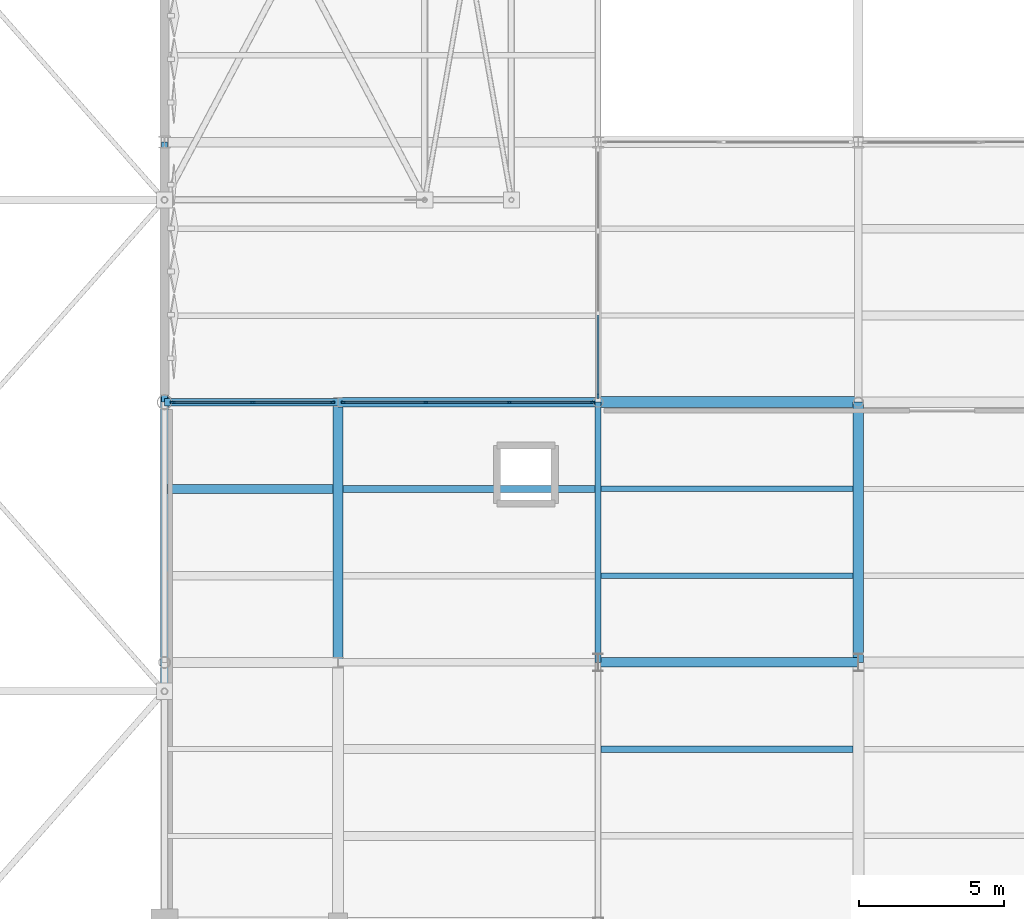
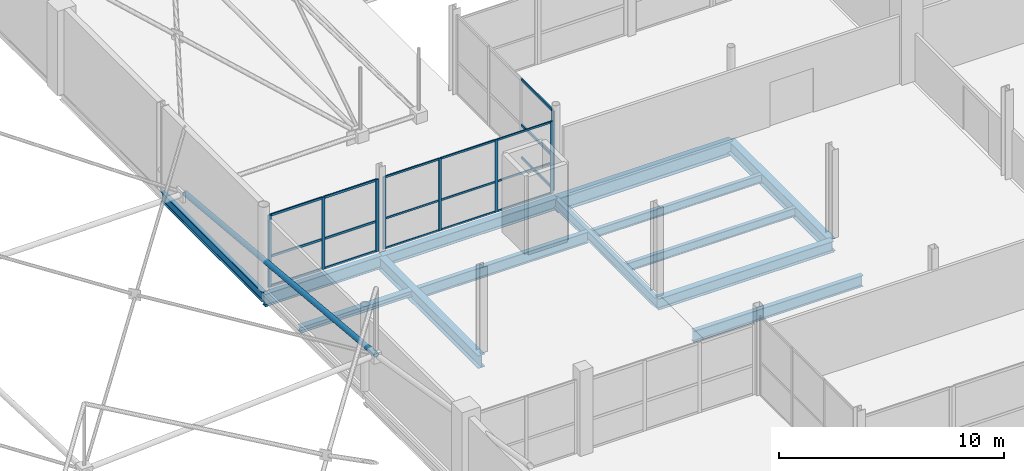
# One storey, part 131 of 224: 27 members, 13 beams, 3 elements without a shape of their own.
"""IFC4 building model written with IfcOpenShell, lengths in metres."""

from ifc_helpers import new_model, si_unit, direction, frame, origin, origin_2d, place, context, subcontext, project, spatial, rectangle, hollow_circle, i_section, extrude, material, layer, layer_set, material_profile, profile_set, type_object, element, aggregate, save


model = new_model("IFC4")

# Units and contexts
model_context = context("Model", 3, precision=1e-05, world=origin(), true_north=direction((0.0, 1.0)))
body_context = subcontext(model_context, "Body", "Model", "MODEL_VIEW")
ifc_project = project(units=[si_unit("LENGTHUNIT", "METRE"), si_unit("AREAUNIT", "SQUARE_METRE"), si_unit("VOLUMEUNIT", "CUBIC_METRE"), si_unit("PLANEANGLEUNIT", "RADIAN"), si_unit("MASSUNIT", "GRAM", prefix="KILO")], contexts=[model_context])

# Site, building, storey
site_placement = place(None, origin())
site = spatial("IfcSite", under=ifc_project, at=site_placement, CompositionType="ELEMENT")
building_placement = place(site_placement, origin())
building = spatial("IfcBuilding", under=site, at=building_placement, Name="Qamarlyn Nura Convention Centre", CompositionType="ELEMENT")
storey_placement = place(building_placement, frame((0.0, 0.0, 10.800048828125)))
storey = spatial("IfcBuildingStorey", under=building, at=storey_placement, Name="L02", CompositionType="ELEMENT", Elevation=10.800048828125)

# Beams
ifc_material_1 = material(Name="Steel ASTM A992", Category="steel")
ifc_material_profile_1 = material_profile(ifc_material_1, i_section(OverallWidth=0.323974609375, OverallDepth=0.611083984375, WebThickness=0.0126953125, FlangeThickness=0.01904296875, FilletRadius=0.01611328125, at=origin_2d()), Name="W610X155")
ifc_profile_set_1 = profile_set([ifc_material_profile_1], Name="Steel ASTM A992")
beam_type_1 = type_object("IfcBeamType", Name="BM-GIRD-610", PredefinedType="BEAM", material=ifc_profile_set_1)
for number, where, z_axis, x_axis, name in (
    (1, (135.0, 36.0, -0.5654296875), (1.0, 0.0, 0.0), (0.0, 1.0, 0.0), "L02 girder E 11-12"),
    (2, (126.0, 45.0, -0.545654296875), (1.0, 0.0, 0.0), (0.0, 1.0, 0.0), "L02 girder F 10-11"),
):
    element("IfcBeam", number, at=place(storey_placement, frame(where, z_axis=z_axis, x_axis=x_axis)), inside=storey, type_object=beam_type_1, Name=name, PredefinedType="BEAM", context=body_context, shape_type="SweptSolid", body=[
        extrude(i_section(OverallWidth=0.323974609375, OverallDepth=0.611083984375, WebThickness=0.0126953125, FlangeThickness=0.01904296875, FilletRadius=0.01611328125, at=origin_2d()), origin(), (0.0, 0.0, 1.0), 9.0),
    ])
ifc_material_profile_2 = material_profile(ifc_material_1, i_section(OverallWidth=0.35498046875, OverallDepth=0.695068359375, WebThickness=0.015380859375, FlangeThickness=0.02490234375, FilletRadius=0.01806640625, at=origin_2d()), Name="W690X217")
ifc_profile_set_2 = profile_set([ifc_material_profile_2], Name="Steel ASTM A992")
beam_type_2 = type_object("IfcBeamType", Name="BM-GIRD-690A", PredefinedType="BEAM", material=ifc_profile_set_2)
for number, where, z_axis, x_axis, name in (
    (3, (126.0, 36.0, -0.587646484375), (0.0, 1.0, 0.0), (-1.0, 0.0, 0.0), "L02 girder 10 E-F"),
    (4, (144.0, 36.0, -0.607666015625), (0.0, 1.0, 0.0), (-1.0, 0.0, 0.0), "L02 girder 12 E-F"),
):
    element("IfcBeam", number, at=place(storey_placement, frame(where, z_axis=z_axis, x_axis=x_axis)), inside=storey, type_object=beam_type_2, Name=name, PredefinedType="BEAM", context=body_context, shape_type="SweptSolid", body=[
        extrude(i_section(OverallWidth=0.35498046875, OverallDepth=0.695068359375, WebThickness=0.015380859375, FlangeThickness=0.02490234375, FilletRadius=0.01806640625, at=origin_2d()), origin(), (0.0, 0.0, 1.0), 9.0),
    ])
ifc_material_profile_3 = material_profile(ifc_material_1, i_section(OverallWidth=0.25390625, OverallDepth=0.68408203125, WebThickness=0.012451171875, FlangeThickness=0.01904296875, FilletRadius=0.01806640625, at=origin_2d()), Name="W690X140")
ifc_profile_set_3 = profile_set([ifc_material_profile_3], Name="Steel ASTM A992")
beam_type_3 = type_object("IfcBeamType", Name="BM-GIRD-690B", PredefinedType="BEAM", material=ifc_profile_set_3)
beam_1_placement = place(storey_placement, frame((120.0, 45.0, -0.58203125), z_axis=(1.0, 0.0, 0.0), x_axis=(0.0, 1.0, 0.0)))
element("IfcBeam", 5, at=beam_1_placement, inside=storey, type_object=beam_type_3, Name="L02 girder F 9-10", PredefinedType="BEAM", context=body_context, shape_type="SweptSolid", body=[
    extrude(i_section(OverallWidth=0.25390625, OverallDepth=0.68408203125, WebThickness=0.012451171875, FlangeThickness=0.01904296875, FilletRadius=0.01806640625, at=origin_2d()), origin(), (0.0, 0.0, 1.0), 6.0),
])
ifc_material_profile_4 = material_profile(ifc_material_1, i_section(OverallWidth=0.381103515625, OverallDepth=0.77294921875, WebThickness=0.0166015625, FlangeThickness=0.027587890625, FilletRadius=0.02001953125, at=origin_2d()), Name="W760X257")
ifc_profile_set_4 = profile_set([ifc_material_profile_4], Name="Steel ASTM A992")
beam_type_4 = type_object("IfcBeamType", Name="BM-GIRD-760", PredefinedType="BEAM", material=ifc_profile_set_4)
beam_2_placement = place(storey_placement, frame((135.0, 45.0, -0.646484375), z_axis=(1.0, 0.0, 0.0), x_axis=(0.0, 1.0, 0.0)))
element("IfcBeam", 6, at=beam_2_placement, inside=storey, type_object=beam_type_4, Name="L02 girder F 11-12", PredefinedType="BEAM", context=body_context, shape_type="SweptSolid", body=[
    extrude(i_section(OverallWidth=0.381103515625, OverallDepth=0.77294921875, WebThickness=0.0166015625, FlangeThickness=0.027587890625, FilletRadius=0.02001953125, at=origin_2d()), origin(), (0.0, 0.0, 1.0), 9.0),
])
ifc_material_profile_5 = material_profile(ifc_material_1, i_section(OverallWidth=0.304931640625, OverallDepth=0.30810546875, WebThickness=0.010009765625, FlangeThickness=0.015380859375, FilletRadius=0.014892578125, at=origin_2d()), Name="W310X97")
ifc_profile_set_5 = profile_set([ifc_material_profile_5], Name="Steel ASTM A992")
beam_type_5 = type_object("IfcBeamType", Name="BM-JOIST-310", PredefinedType="JOIST", material=ifc_profile_set_5)
beam_3_placement = place(storey_placement, frame((120.10009765625, 42.0, -0.39404296875), z_axis=(1.0, 0.0, 0.0), x_axis=(0.0, 1.0, 0.0)))
element("IfcBeam", 7, at=beam_3_placement, inside=storey, type_object=beam_type_5, Name="L02 composite joist 9-10/E+2", PredefinedType="JOIST", context=body_context, shape_type="SweptSolid", body=[
    extrude(i_section(OverallWidth=0.304931640625, OverallDepth=0.30810546875, WebThickness=0.010009765625, FlangeThickness=0.015380859375, FilletRadius=0.014892578125, at=origin_2d()), origin(), (0.0, 0.0, 1.0), 5.722412109375),
])
ifc_material_profile_6 = material_profile(ifc_material_1, i_section(OverallWidth=0.18994140625, OverallDepth=0.45703125, WebThickness=0.009033203125, FlangeThickness=0.014404296875, FilletRadius=0.012939453125, at=origin_2d()), Name="W460X74")
ifc_profile_set_6 = profile_set([ifc_material_profile_6], Name="Steel ASTM A992")
beam_type_6 = type_object("IfcBeamType", Name="BM-JOIST-460", PredefinedType="JOIST", material=ifc_profile_set_6)
for number, where, z_axis, x_axis, name in (
    (8, (135.10546875, 39.0, -0.488525390625), (1.0, 0.0, 0.0), (0.0, 1.0, 0.0), "L02 composite joist 11-12/E+1"),
    (9, (135.10546875, 42.0, -0.488525390625), (1.0, 0.0, 0.0), (0.0, 1.0, 0.0), "L02 composite joist 11-12/E+2"),
):
    element("IfcBeam", number, at=place(storey_placement, frame(where, z_axis=z_axis, x_axis=x_axis)), inside=storey, type_object=beam_type_6, Name=name, PredefinedType="JOIST", context=body_context, shape_type="SweptSolid", body=[
        extrude(i_section(OverallWidth=0.18994140625, OverallDepth=0.45703125, WebThickness=0.009033203125, FlangeThickness=0.014404296875, FilletRadius=0.012939453125, at=origin_2d()), origin(), (0.0, 0.0, 1.0), 8.717041015625),
    ])
ifc_material_profile_7 = material_profile(ifc_material_1, i_section(OverallWidth=0.22802734375, OverallDepth=0.60791015625, WebThickness=0.01123046875, FlangeThickness=0.017333984375, FilletRadius=0.01611328125, at=origin_2d()), Name="W610X113")
ifc_profile_set_7 = profile_set([ifc_material_profile_7], Name="Steel ASTM A992")
beam_type_7 = type_object("IfcBeamType", Name="BM-JOIST-610", PredefinedType="JOIST", material=ifc_profile_set_7)
beam_4_placement = place(storey_placement, frame((126.177490234375, 42.0, -0.5439453125), z_axis=(1.0, 0.0, 0.0), x_axis=(0.0, 1.0, 0.0)))
element("IfcBeam", 10, at=beam_4_placement, inside=storey, type_object=beam_type_7, Name="L02 composite joist 10-11/E+2", PredefinedType="JOIST", context=body_context, shape_type="SweptSolid", body=[
    extrude(i_section(OverallWidth=0.22802734375, OverallDepth=0.60791015625, WebThickness=0.01123046875, FlangeThickness=0.017333984375, FilletRadius=0.01611328125, at=origin_2d()), origin(), (0.0, 0.0, 1.0), 8.717041015625),
])
beam_5_placement = place(storey_placement, frame((135.10009765625, 33.0, -0.56396484375), z_axis=(1.0, 0.0, 0.0), x_axis=(0.0, 1.0, 0.0)))
element("IfcBeam", 11, at=beam_5_placement, inside=storey, type_object=beam_type_7, Name="L02 composite joist 11-12/D+2", PredefinedType="JOIST", context=body_context, shape_type="SweptSolid", body=[
    extrude(i_section(OverallWidth=0.22802734375, OverallDepth=0.60791015625, WebThickness=0.01123046875, FlangeThickness=0.017333984375, FilletRadius=0.01611328125, at=origin_2d()), origin(), (0.0, 0.0, 1.0), 8.70947265625),
])
ifc_material_profile_8 = material_profile(ifc_material_1, i_section(OverallWidth=0.2109375, OverallDepth=0.5390625, WebThickness=0.01171875, FlangeThickness=0.018798828125, FilletRadius=0.013916015625, at=origin_2d()), Name="W530X109")
ifc_profile_set_8 = profile_set([ifc_material_profile_8], Name="Steel ASTM A992")
beam_type_8 = type_object("IfcBeamType", Name="BM-SPAN-530", PredefinedType="SPANDREL", material=ifc_profile_set_8)
for number, where, z_axis, x_axis, name in (
    (12, (120.0, 45.0, -0.41455078125), (0.0, 1.0, 0.0), (-1.0, 0.0, 0.0), "L02 girder 9 F-G"),
    (13, (135.0, 36.0, -0.529541015625), (0.0, 1.0, 0.0), (-1.0, 0.0, 0.0), "L02 girder 11 E-F"),
):
    element("IfcBeam", number, at=place(storey_placement, frame(where, z_axis=z_axis, x_axis=x_axis)), inside=storey, type_object=beam_type_8, Name=name, PredefinedType="SPANDREL", context=body_context, shape_type="SweptSolid", body=[
        extrude(i_section(OverallWidth=0.2109375, OverallDepth=0.5390625, WebThickness=0.01171875, FlangeThickness=0.018798828125, FilletRadius=0.013916015625, at=origin_2d()), origin(), (0.0, 0.0, 1.0), 9.0),
    ])

# Curtain wall, members
ifc_material_2 = material(Name="Double-silver low-E insulated glass", Category="glass")
ifc_layer_1 = layer(ifc_material_2, 0.179931640625, Name="CW-UNIT-56")
ifc_layer_set_1 = layer_set([ifc_layer_1], Name="Double-silver low-E insulated glass")
curtain_wall_type_1 = type_object("IfcCurtainWallType", Name="CW-UNIT-56", PredefinedType="NOTDEFINED", material=ifc_layer_set_1)
curtain_wall_1_placement = place(storey_placement, origin())
curtain_wall_1 = element("IfcCurtainWall", 14, at=curtain_wall_1_placement, inside=storey, type_object=curtain_wall_type_1, Name="L02 unitised curtain wall BRG-N-2", PredefinedType="NOTDEFINED")
ifc_material_3 = material(Name="Champagne-anodised marine aluminium", Category="aluminium")
ifc_material_profile_9 = material_profile(ifc_material_3, rectangle(XDim=0.06005859375, YDim=0.139892578125, at=origin_2d()), Name="ALU MULLION 60x140")
ifc_profile_set_9 = profile_set([ifc_material_profile_9], Name="Champagne-anodised marine aluminium")
member_type_1 = type_object("IfcMemberType", Name="CWM-140", PredefinedType="MULLION", material=ifc_profile_set_9)
member_1_placement = place(storey_placement, frame((126.1826171875, 45.0, 0.0), z_axis=(0.0, 0.0, 1.0), x_axis=(0.0, 1.0, 0.0)))
member_1 = element("IfcMember", 15, at=member_1_placement, type_object=member_type_1, Name="CW56 mullion 1", PredefinedType="MULLION", context=body_context, shape_type="SweptSolid", body=[
    extrude(rectangle(XDim=0.06005859375, YDim=0.139892578125, at=origin_2d()), origin(), (0.0, 0.0, 1.0), 3.926025390625),
])
member_2_placement = place(storey_placement, frame((129.04248046875, 45.0, 0.0), z_axis=(0.0, 0.0, 1.0), x_axis=(0.0, 1.0, 0.0)))
member_2 = element("IfcMember", 16, at=member_2_placement, type_object=member_type_1, Name="CW56 mullion 2", PredefinedType="MULLION", context=body_context, shape_type="SweptSolid", body=[
    extrude(rectangle(XDim=0.06005859375, YDim=0.139892578125, at=origin_2d()), origin(), (0.0, 0.0, 1.0), 3.926025390625),
])
member_3_placement = place(storey_placement, frame((131.932373046875, 45.0, 0.0), z_axis=(0.0, 0.0, 1.0), x_axis=(0.0, 1.0, 0.0)))
member_3 = element("IfcMember", 17, at=member_3_placement, type_object=member_type_1, Name="CW56 mullion 3", PredefinedType="MULLION", context=body_context, shape_type="SweptSolid", body=[
    extrude(rectangle(XDim=0.06005859375, YDim=0.139892578125, at=origin_2d()), origin(), (0.0, 0.0, 1.0), 3.926025390625),
])
member_4_placement = place(storey_placement, frame((134.792236328125, 45.0, 0.0), z_axis=(0.0, 0.0, 1.0), x_axis=(0.0, 1.0, 0.0)))
member_4 = element("IfcMember", 18, at=member_4_placement, type_object=member_type_1, Name="CW56 mullion 4", PredefinedType="MULLION", context=body_context, shape_type="SweptSolid", body=[
    extrude(rectangle(XDim=0.06005859375, YDim=0.139892578125, at=origin_2d()), origin(), (0.0, 0.0, 1.0), 3.926025390625),
])

ifc_layer_2 = layer(ifc_material_2, 0.179931640625, Name="CW-UNIT-55")
ifc_layer_set_2 = layer_set([ifc_layer_2], Name="Double-silver low-E insulated glass")
curtain_wall_type_2 = type_object("IfcCurtainWallType", Name="CW-UNIT-55", PredefinedType="NOTDEFINED", material=ifc_layer_set_2)
curtain_wall_2_placement = place(storey_placement, origin())
curtain_wall_2 = element("IfcCurtainWall", 19, at=curtain_wall_2_placement, inside=storey, type_object=curtain_wall_type_2, Name="L02 unitised curtain wall BRG-N-1", PredefinedType="NOTDEFINED")
ifc_material_profile_10 = material_profile(ifc_material_3, rectangle(XDim=0.06494140625, YDim=0.159912109375, at=origin_2d()), Name="ALU MULLION 65x160")
ifc_profile_set_10 = profile_set([ifc_material_profile_10], Name="Champagne-anodised marine aluminium")
member_type_2 = type_object("IfcMemberType", Name="CWM-160", PredefinedType="MULLION", material=ifc_profile_set_10)
member_5_placement = place(storey_placement, frame((120.28662109375, 45.0, 0.0), z_axis=(0.0, 0.0, 1.0), x_axis=(0.0, 1.0, 0.0)))
member_5 = element("IfcMember", 20, at=member_5_placement, type_object=member_type_2, Name="CW55 mullion 1", PredefinedType="MULLION", context=body_context, shape_type="SweptSolid", body=[
    extrude(rectangle(XDim=0.06494140625, YDim=0.159912109375, at=origin_2d()), origin(), (0.0, 0.0, 1.0), 3.9150390625),
])
member_6_placement = place(storey_placement, frame((123.05078125, 45.0, 0.0), z_axis=(0.0, 0.0, 1.0), x_axis=(0.0, 1.0, 0.0)))
member_6 = element("IfcMember", 21, at=member_6_placement, type_object=member_type_2, Name="CW55 mullion 2", PredefinedType="MULLION", context=body_context, shape_type="SweptSolid", body=[
    extrude(rectangle(XDim=0.06494140625, YDim=0.159912109375, at=origin_2d()), origin(), (0.0, 0.0, 1.0), 3.9150390625),
])
member_7_placement = place(storey_placement, frame((125.81494140625, 45.0, 0.0), z_axis=(0.0, 0.0, 1.0), x_axis=(0.0, 1.0, 0.0)))
member_7 = element("IfcMember", 22, at=member_7_placement, type_object=member_type_2, Name="CW55 mullion 3", PredefinedType="MULLION", context=body_context, shape_type="SweptSolid", body=[
    extrude(rectangle(XDim=0.06494140625, YDim=0.159912109375, at=origin_2d()), origin(), (0.0, 0.0, 1.0), 3.9150390625),
])

# Curtain wall, member
ifc_layer_3 = layer(ifc_material_2, 0.179931640625, Name="CW-UNIT-102")
ifc_layer_set_3 = layer_set([ifc_layer_3], Name="Double-silver low-E insulated glass")
curtain_wall_type_3 = type_object("IfcCurtainWallType", Name="CW-UNIT-102", PredefinedType="NOTDEFINED", material=ifc_layer_set_3)
curtain_wall_3_placement = place(storey_placement, origin())
curtain_wall_3 = element("IfcCurtainWall", 23, at=curtain_wall_3_placement, inside=storey, type_object=curtain_wall_type_3, Name="L02 unitised curtain wall BLW-N-1", PredefinedType="NOTDEFINED")
ifc_material_profile_11 = material_profile(ifc_material_3, rectangle(XDim=0.070068359375, YDim=0.179931640625, at=origin_2d()), Name="ALU MULLION 70x180")
ifc_profile_set_11 = profile_set([ifc_material_profile_11], Name="Champagne-anodised marine aluminium")
member_type_3 = type_object("IfcMemberType", Name="CWM-180", PredefinedType="MULLION", material=ifc_profile_set_11)
member_8_placement = place(storey_placement, frame((135.0, 45.212890625, 0.0), z_axis=(0.0, 0.0, 1.0), x_axis=(-1.0, 0.0, 0.0)))
member_8 = element("IfcMember", 24, at=member_8_placement, type_object=member_type_3, Name="CW102 mullion 1", PredefinedType="MULLION", context=body_context, shape_type="SweptSolid", body=[
    extrude(rectangle(XDim=0.070068359375, YDim=0.179931640625, at=origin_2d()), origin(), (0.0, 0.0, 1.0), 4.304931640625),
])

# Member
ifc_material_profile_12 = material_profile(ifc_material_3, rectangle(XDim=0.06005859375, YDim=0.10009765625, at=origin_2d()), Name="ALU TRANSOM 60x100")
ifc_profile_set_12 = profile_set([ifc_material_profile_12], Name="Champagne-anodised marine aluminium")
member_type_4 = type_object("IfcMemberType", Name="CWT-100", PredefinedType="USERDEFINED", material=ifc_profile_set_12)
member_9_placement = place(storey_placement, frame((126.21240234375, 45.0, 0.030029296875), z_axis=(1.0, 0.0, 0.0), x_axis=(0.0, 1.0, 0.0)))
member_9 = element("IfcMember", 25, at=member_9_placement, type_object=member_type_4, Name="CW56 transom 1.1", ObjectType="TRANSOM", PredefinedType="USERDEFINED", context=body_context, shape_type="SweptSolid", body=[
    extrude(rectangle(XDim=0.06005859375, YDim=0.10009765625, at=origin_2d()), origin(), (0.0, 0.0, 1.0), 2.800048828125),
])

member_10_placement = place(storey_placement, frame((126.21240234375, 45.0, 1.64892578125), z_axis=(1.0, 0.0, 0.0), x_axis=(0.0, 1.0, 0.0)))
member_10 = element("IfcMember", 26, at=member_10_placement, type_object=member_type_4, Name="CW56 transom 1.2", ObjectType="TRANSOM", PredefinedType="USERDEFINED", context=body_context, shape_type="SweptSolid", body=[
    extrude(rectangle(XDim=0.06005859375, YDim=0.10009765625, at=origin_2d()), origin(), (0.0, 0.0, 1.0), 2.800048828125),
])

member_11_placement = place(storey_placement, frame((126.21240234375, 45.0, 3.89599609375), z_axis=(1.0, 0.0, 0.0), x_axis=(0.0, 1.0, 0.0)))
member_11 = element("IfcMember", 27, at=member_11_placement, type_object=member_type_4, Name="CW56 transom 1.3", ObjectType="TRANSOM", PredefinedType="USERDEFINED", context=body_context, shape_type="SweptSolid", body=[
    extrude(rectangle(XDim=0.06005859375, YDim=0.10009765625, at=origin_2d()), origin(), (0.0, 0.0, 1.0), 2.800048828125),
])

member_12_placement = place(storey_placement, frame((129.072509765625, 45.0, 0.030029296875), z_axis=(1.0, 0.0, 0.0), x_axis=(0.0, 1.0, 0.0)))
member_12 = element("IfcMember", 28, at=member_12_placement, type_object=member_type_4, Name="CW56 transom 2.1", ObjectType="TRANSOM", PredefinedType="USERDEFINED", context=body_context, shape_type="SweptSolid", body=[
    extrude(rectangle(XDim=0.06005859375, YDim=0.10009765625, at=origin_2d()), origin(), (0.0, 0.0, 1.0), 2.829833984375),
])

member_13_placement = place(storey_placement, frame((129.072509765625, 45.0, 1.64892578125), z_axis=(1.0, 0.0, 0.0), x_axis=(0.0, 1.0, 0.0)))
member_13 = element("IfcMember", 29, at=member_13_placement, type_object=member_type_4, Name="CW56 transom 2.2", ObjectType="TRANSOM", PredefinedType="USERDEFINED", context=body_context, shape_type="SweptSolid", body=[
    extrude(rectangle(XDim=0.06005859375, YDim=0.10009765625, at=origin_2d()), origin(), (0.0, 0.0, 1.0), 2.829833984375),
])

member_14_placement = place(storey_placement, frame((129.072509765625, 45.0, 3.89599609375), z_axis=(1.0, 0.0, 0.0), x_axis=(0.0, 1.0, 0.0)))
member_14 = element("IfcMember", 30, at=member_14_placement, type_object=member_type_4, Name="CW56 transom 2.3", ObjectType="TRANSOM", PredefinedType="USERDEFINED", context=body_context, shape_type="SweptSolid", body=[
    extrude(rectangle(XDim=0.06005859375, YDim=0.10009765625, at=origin_2d()), origin(), (0.0, 0.0, 1.0), 2.829833984375),
])

member_15_placement = place(storey_placement, frame((131.96240234375, 45.0, 0.030029296875), z_axis=(1.0, 0.0, 0.0), x_axis=(0.0, 1.0, 0.0)))
member_15 = element("IfcMember", 31, at=member_15_placement, type_object=member_type_4, Name="CW56 transom 3.1", ObjectType="TRANSOM", PredefinedType="USERDEFINED", context=body_context, shape_type="SweptSolid", body=[
    extrude(rectangle(XDim=0.06005859375, YDim=0.10009765625, at=origin_2d()), origin(), (0.0, 0.0, 1.0), 2.7998046875),
])

member_16_placement = place(storey_placement, frame((131.96240234375, 45.0, 1.64892578125), z_axis=(1.0, 0.0, 0.0), x_axis=(0.0, 1.0, 0.0)))
member_16 = element("IfcMember", 32, at=member_16_placement, type_object=member_type_4, Name="CW56 transom 3.2", ObjectType="TRANSOM", PredefinedType="USERDEFINED", context=body_context, shape_type="SweptSolid", body=[
    extrude(rectangle(XDim=0.06005859375, YDim=0.10009765625, at=origin_2d()), origin(), (0.0, 0.0, 1.0), 2.7998046875),
])

member_17_placement = place(storey_placement, frame((131.96240234375, 45.0, 3.89599609375), z_axis=(1.0, 0.0, 0.0), x_axis=(0.0, 1.0, 0.0)))
member_17 = element("IfcMember", 33, at=member_17_placement, type_object=member_type_4, Name="CW56 transom 3.3", ObjectType="TRANSOM", PredefinedType="USERDEFINED", context=body_context, shape_type="SweptSolid", body=[
    extrude(rectangle(XDim=0.06005859375, YDim=0.10009765625, at=origin_2d()), origin(), (0.0, 0.0, 1.0), 2.7998046875),
])

aggregate(curtain_wall_1, [member_1, member_2, member_3, member_4, member_9, member_10, member_11, member_12, member_13, member_14, member_15, member_16, member_17])

ifc_material_profile_13 = material_profile(ifc_material_3, rectangle(XDim=0.06494140625, YDim=0.1201171875, at=origin_2d()), Name="ALU TRANSOM 65x120")
ifc_profile_set_13 = profile_set([ifc_material_profile_13], Name="Champagne-anodised marine aluminium")
member_type_5 = type_object("IfcMemberType", Name="CWT-120", PredefinedType="USERDEFINED", material=ifc_profile_set_13)
member_18_placement = place(storey_placement, frame((120.319091796875, 45.0, 0.032470703125), z_axis=(1.0, 0.0, 0.0), x_axis=(0.0, 1.0, 0.0)))
member_18 = element("IfcMember", 34, at=member_18_placement, type_object=member_type_5, Name="CW55 transom 1.1", ObjectType="TRANSOM", PredefinedType="USERDEFINED", context=body_context, shape_type="SweptSolid", body=[
    extrude(rectangle(XDim=0.06494140625, YDim=0.1201171875, at=origin_2d()), origin(), (0.0, 0.0, 1.0), 2.69921875),
])

member_19_placement = place(storey_placement, frame((120.319091796875, 45.0, 1.64404296875), z_axis=(1.0, 0.0, 0.0), x_axis=(0.0, 1.0, 0.0)))
member_19 = element("IfcMember", 35, at=member_19_placement, type_object=member_type_5, Name="CW55 transom 1.2", ObjectType="TRANSOM", PredefinedType="USERDEFINED", context=body_context, shape_type="SweptSolid", body=[
    extrude(rectangle(XDim=0.06494140625, YDim=0.1201171875, at=origin_2d()), origin(), (0.0, 0.0, 1.0), 2.69921875),
])

member_20_placement = place(storey_placement, frame((120.319091796875, 45.0, 3.882568359375), z_axis=(1.0, 0.0, 0.0), x_axis=(0.0, 1.0, 0.0)))
member_20 = element("IfcMember", 36, at=member_20_placement, type_object=member_type_5, Name="CW55 transom 1.3", ObjectType="TRANSOM", PredefinedType="USERDEFINED", context=body_context, shape_type="SweptSolid", body=[
    extrude(rectangle(XDim=0.06494140625, YDim=0.1201171875, at=origin_2d()), origin(), (0.0, 0.0, 1.0), 2.69921875),
])

member_21_placement = place(storey_placement, frame((123.083251953125, 45.0, 0.032470703125), z_axis=(1.0, 0.0, 0.0), x_axis=(0.0, 1.0, 0.0)))
member_21 = element("IfcMember", 37, at=member_21_placement, type_object=member_type_5, Name="CW55 transom 2.1", ObjectType="TRANSOM", PredefinedType="USERDEFINED", context=body_context, shape_type="SweptSolid", body=[
    extrude(rectangle(XDim=0.06494140625, YDim=0.1201171875, at=origin_2d()), origin(), (0.0, 0.0, 1.0), 2.69921875),
])

member_22_placement = place(storey_placement, frame((123.083251953125, 45.0, 1.64404296875), z_axis=(1.0, 0.0, 0.0), x_axis=(0.0, 1.0, 0.0)))
member_22 = element("IfcMember", 38, at=member_22_placement, type_object=member_type_5, Name="CW55 transom 2.2", ObjectType="TRANSOM", PredefinedType="USERDEFINED", context=body_context, shape_type="SweptSolid", body=[
    extrude(rectangle(XDim=0.06494140625, YDim=0.1201171875, at=origin_2d()), origin(), (0.0, 0.0, 1.0), 2.69921875),
])

member_23_placement = place(storey_placement, frame((123.083251953125, 45.0, 3.882568359375), z_axis=(1.0, 0.0, 0.0), x_axis=(0.0, 1.0, 0.0)))
member_23 = element("IfcMember", 39, at=member_23_placement, type_object=member_type_5, Name="CW55 transom 2.3", ObjectType="TRANSOM", PredefinedType="USERDEFINED", context=body_context, shape_type="SweptSolid", body=[
    extrude(rectangle(XDim=0.06494140625, YDim=0.1201171875, at=origin_2d()), origin(), (0.0, 0.0, 1.0), 2.69921875),
])

aggregate(curtain_wall_2, [member_5, member_6, member_7, member_18, member_19, member_20, member_21, member_22, member_23])

ifc_material_profile_14 = material_profile(ifc_material_3, rectangle(XDim=0.070068359375, YDim=0.139892578125, at=origin_2d()), Name="ALU TRANSOM 70x140")
ifc_profile_set_14 = profile_set([ifc_material_profile_14], Name="Champagne-anodised marine aluminium")
member_type_6 = type_object("IfcMemberType", Name="CWT-140", PredefinedType="USERDEFINED", material=ifc_profile_set_14)
member_24_placement = place(storey_placement, frame((135.0, 45.247802734375, 0.034912109375), z_axis=(0.0, 1.0, 0.0), x_axis=(-1.0, 0.0, 0.0)))
member_24 = element("IfcMember", 40, at=member_24_placement, type_object=member_type_6, Name="CW102 transom 1.1", ObjectType="TRANSOM", PredefinedType="USERDEFINED", context=body_context, shape_type="SweptSolid", body=[
    extrude(rectangle(XDim=0.070068359375, YDim=0.139892578125, at=origin_2d()), origin(), (0.0, 0.0, 1.0), 2.770263671875),
])

member_25_placement = place(storey_placement, frame((135.0, 45.247802734375, 1.807861328125), z_axis=(0.0, 1.0, 0.0), x_axis=(-1.0, 0.0, 0.0)))
member_25 = element("IfcMember", 41, at=member_25_placement, type_object=member_type_6, Name="CW102 transom 1.2", ObjectType="TRANSOM", PredefinedType="USERDEFINED", context=body_context, shape_type="SweptSolid", body=[
    extrude(rectangle(XDim=0.070068359375, YDim=0.139892578125, at=origin_2d()), origin(), (0.0, 0.0, 1.0), 2.770263671875),
])

member_26_placement = place(storey_placement, frame((135.0, 45.247802734375, 4.27001953125), z_axis=(0.0, 1.0, 0.0), x_axis=(-1.0, 0.0, 0.0)))
member_26 = element("IfcMember", 42, at=member_26_placement, type_object=member_type_6, Name="CW102 transom 1.3", ObjectType="TRANSOM", PredefinedType="USERDEFINED", context=body_context, shape_type="SweptSolid", body=[
    extrude(rectangle(XDim=0.070068359375, YDim=0.139892578125, at=origin_2d()), origin(), (0.0, 0.0, 1.0), 2.770263671875),
])

aggregate(curtain_wall_3, [member_8, member_24, member_25, member_26])

ifc_material_4 = material(Name="Pearl-white PVDF steel ASTM A500 Grade C", Category="steel")
ifc_material_profile_15 = material_profile(ifc_material_4, hollow_circle(Radius=0.136474609375, WallThickness=0.012451171875, at=origin_2d()), Name="CHS273X12.5")
ifc_profile_set_15 = profile_set([ifc_material_profile_15], Name="Pearl-white PVDF steel ASTM A500 Grade C")
member_type_7 = type_object("IfcMemberType", Name="SF-BC-MAIN", PredefinedType="CHORD", material=ifc_profile_set_15)
member_27_placement = place(storey_placement, frame((120.0, 35.0, 2.483642578125), z_axis=(0.0, 0.995888281299, -0.090589906562), x_axis=(-1.0, 0.0, 0.0)))
element("IfcMember", 43, at=member_27_placement, inside=storey, type_object=member_type_7, Name="ROOF TRUSS space frame bottom chord Y10-3", PredefinedType="CHORD", context=body_context, shape_type="SweptSolid", body=[
    extrude(hollow_circle(Radius=0.136474609375, WallThickness=0.012451171875, at=origin_2d()), origin(), (0.0, 0.0, 1.0), 17.070068359375),
])

save(model, "model.ifc")
